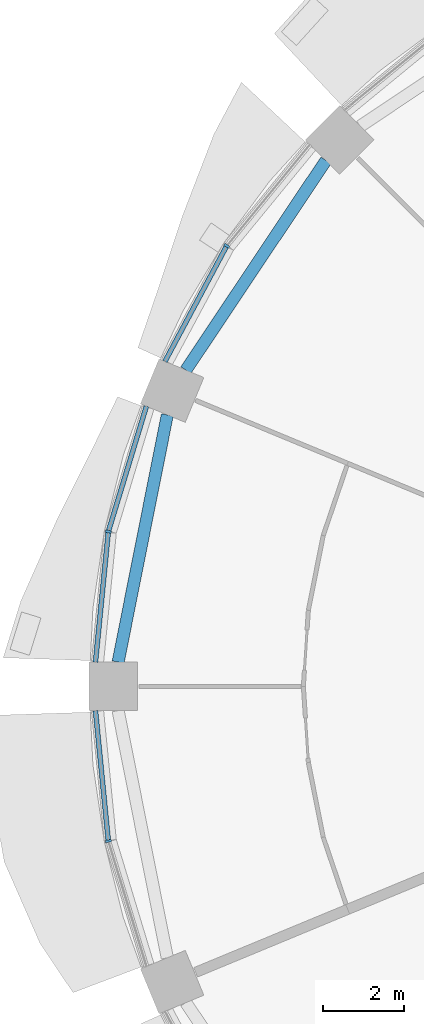
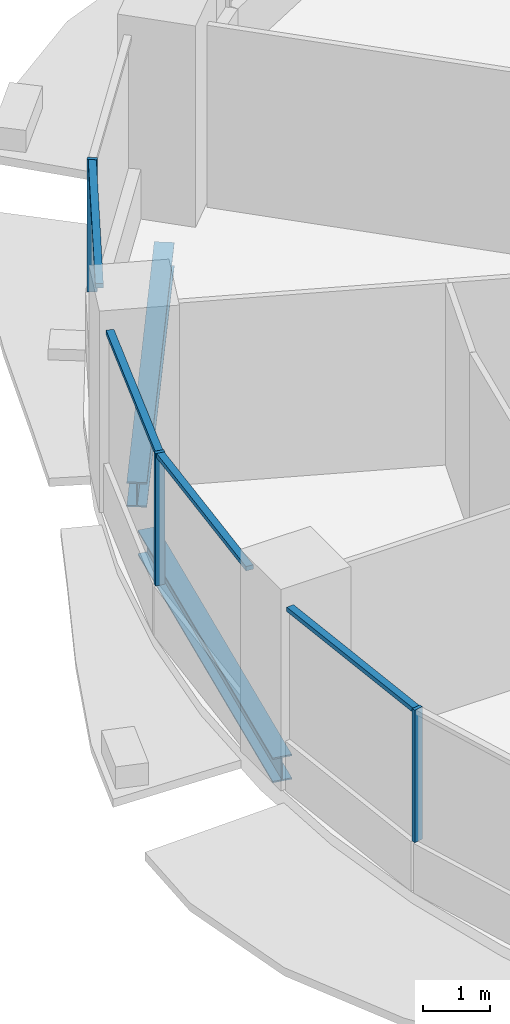
# One storey, part 4 of 15: 7 members, 2 beams, 3 elements without a shape of their own.
"""IFC4 building model written with IfcOpenShell, lengths in metres."""

import ifcopenshell
import ifcopenshell.guid

model = None  # the IFC model being written
_history = None  # IfcOwnerHistory: only IFC2X3 demands one
_inside = {}  # id of a spatial element -> (the spatial element, [elements in it])
_under = {}  # id of a project, library or spatial element -> (it, [spatial elements below it])
_declared = {}  # id of a project -> (the project, [libraries it declares])
_typed = {}  # id of a type object -> (the type object, [elements of that type])
_made_of = {}  # id of a material, layer set ... -> (it, [elements and type objects made of it])


def new_model(schema):
    """Start an empty IFC model of exactly this schema.

    Asked for "IFC4X3", IfcOpenShell would pick the latest addendum, in which some entities
    have other attributes; the version numbers below select the first issue.
    IFC2X3 requires an IfcOwnerHistory on every rooted entity: one is made here for all.
    """
    global model, _history
    if schema == "IFC4X3":
        model = ifcopenshell.file(schema_version=(4, 3, 0, 0))
    else:
        model = ifcopenshell.file(schema=schema)
    _inside.clear()
    _under.clear()
    _declared.clear()
    _typed.clear()
    _made_of.clear()
    _history = None
    if model.schema == "IFC2X3":
        org = make("IfcOrganization", Name="unknown")
        user = make(
            "IfcPersonAndOrganization",
            ThePerson=make("IfcPerson", FamilyName="unknown"),
            TheOrganization=org,
        )
        app = make(
            "IfcApplication",
            ApplicationDeveloper=org,
            Version="unknown",
            ApplicationFullName="unknown",
            ApplicationIdentifier="unknown",
        )
        _history = make(
            "IfcOwnerHistory",
            OwningUser=user,
            OwningApplication=app,
            ChangeAction="ADDED",
            CreationDate=0,
        )
    return model


def make(cls, **values):
    """One entity of the class cls with the attributes given. An attribute that is None is left unset."""
    return model.create_entity(
        cls, **{name: value for name, value in values.items() if value is not None}
    )


def rooted(cls, **values):
    """An entity with a GlobalId (a new one), such as an element, a storey or a relation."""
    return make(cls, GlobalId=ifcopenshell.guid.new(), OwnerHistory=_history, **values)


def si_unit(unit_type, name, prefix=None):
    """IfcSIUnit, for example si_unit("LENGTHUNIT", "METRE", prefix="MILLI")."""
    return make("IfcSIUnit", UnitType=unit_type, Prefix=prefix, Name=name)


def assignment(units):
    """IfcUnitAssignment: the units of a project."""
    return None if units is None else make("IfcUnitAssignment", Units=units)


def point(xyz):
    """IfcCartesianPoint."""
    return None if xyz is None else make("IfcCartesianPoint", Coordinates=xyz)


def direction(xyz):
    """IfcDirection."""
    return None if xyz is None else make("IfcDirection", DirectionRatios=xyz)


def frame(location, z_axis=None, x_axis=None):
    """IfcAxis2Placement3D, a coordinate frame: its origin and axes. An axis left out is left unset."""
    return make(
        "IfcAxis2Placement3D",
        Location=point(location),
        Axis=direction(z_axis),
        RefDirection=direction(x_axis),
    )


def frame_2d(location, x_axis=None):
    """IfcAxis2Placement2D, a coordinate frame in the plane: its origin and x axis."""
    return make(
        "IfcAxis2Placement2D", Location=point(location), RefDirection=direction(x_axis)
    )


def origin():
    """The frame at (0, 0, 0) with its axes left unset."""
    return frame((0.0, 0.0, 0.0))


def origin_2d():
    """The frame at (0, 0) in the plane with its x axis left unset."""
    return frame_2d((0.0, 0.0))


def place(relative_to, where):
    """IfcLocalPlacement: puts the frame where relative to a parent placement (None: the world)."""
    return make(
        "IfcLocalPlacement", PlacementRelTo=relative_to, RelativePlacement=where
    )


def context(
    kind, dimensions, precision=None, world=None, true_north=None, identifier=None
):
    """IfcGeometricRepresentationContext, for example the 3D "Model" context."""
    return make(
        "IfcGeometricRepresentationContext",
        ContextIdentifier=identifier,
        ContextType=kind,
        CoordinateSpaceDimension=dimensions,
        Precision=precision,
        WorldCoordinateSystem=world,
        TrueNorth=true_north,
    )


def subcontext(parent, identifier, kind, view, scale=None):
    """IfcGeometricRepresentationSubContext, for example "Body" below "Model"."""
    return make(
        "IfcGeometricRepresentationSubContext",
        ContextIdentifier=identifier,
        ContextType=kind,
        ParentContext=parent,
        TargetScale=scale,
        TargetView=view,
    )


def project(units=None, contexts=None):
    """IfcProject with its units and contexts."""
    return rooted(
        "IfcProject",
        Name="project",
        RepresentationContexts=contexts,
        UnitsInContext=assignment(units),
    )


def spatial(cls, under=None, at=None, **own):
    """A site, building, storey or space (cls), placed at a placement, below another one or the project."""
    s = rooted(cls, ObjectPlacement=at, **own)
    if under is not None:
        _under.setdefault(under.id(), (under, []))[1].append(s)
    return s


def profile(cls, at=None, kind="AREA", **sizes):
    """A parametric profile (cls). Its sizes go by their IFC names, for example OverallWidth=200.0."""
    return make(cls, ProfileType=kind, Position=at, **sizes)


def rectangle(**sizes):
    """IfcRectangleProfileDef."""
    return profile("IfcRectangleProfileDef", **sizes)


def i_section(**sizes):
    """IfcIShapeProfileDef."""
    return profile("IfcIShapeProfileDef", **sizes)


def extrude(swept, where, along, depth):
    """IfcExtrudedAreaSolid: the profile swept, set in the frame where, extruded along a direction by depth."""
    return make(
        "IfcExtrudedAreaSolid",
        SweptArea=swept,
        Position=where,
        ExtrudedDirection=direction(along),
        Depth=depth,
    )


def shape(context_of_items, identifier, shape_type, items):
    """IfcShapeRepresentation: the items that make up one representation, for example the "Body"."""
    return make(
        "IfcShapeRepresentation",
        ContextOfItems=context_of_items,
        RepresentationIdentifier=identifier,
        RepresentationType=shape_type,
        Items=items,
    )


def material(Name=None, Category=None):
    """IfcMaterial."""
    return make("IfcMaterial", Name=Name, Category=Category)


def material_profile(
    of_material, cross_section, Name=None, Category=None, Priority=None
):
    """IfcMaterialProfile: a cross section and its material."""
    return make(
        "IfcMaterialProfile",
        Name=Name,
        Material=of_material,
        Profile=cross_section,
        Priority=Priority,
        Category=Category,
    )


def profile_set(profiles, Name=None, composite=None):
    """IfcMaterialProfileSet."""
    return make(
        "IfcMaterialProfileSet",
        Name=Name,
        MaterialProfiles=profiles,
        CompositeProfile=composite,
    )


def made_of(thing, what):
    """Note that an element or type object is made of a material, layer set ...; save() writes the relation."""
    if what is not None:
        _made_of.setdefault(what.id(), (what, []))[1].append(thing)
    return thing


def type_object(cls, material=None, **own):
    """A type object (cls), such as IfcWallType, which elements share."""
    return made_of(rooted(cls, **own), material)


def element(
    cls,
    number,
    at=None,
    inside=None,
    cuts=None,
    type_object=None,
    material=None,
    context=None,
    identifier="Body",
    shape_type=None,
    held_by="IfcProductDefinitionShape",
    body=None,
    shapes=None,
    **own,
):
    """One element of the class cls, such as IfcWall. Its Tag is "e" and its number.

    at: its placement. inside: the storey or other place that contains it. cuts: it is an
    opening in that element (IfcRelVoidsElement). A single representation is given by context,
    identifier, shape_type and body (its items); several are given by shapes. held_by: the class
    of the entity that holds the representations. save() writes the other relations.
    """
    e = rooted(cls, Tag="e%d" % number, ObjectPlacement=at, **own)
    if body is not None:
        shapes = [shape(context, identifier, shape_type, body)]
    if shapes is not None:
        e.Representation = make(held_by, Representations=shapes)
    if inside is not None:
        _inside.setdefault(inside.id(), (inside, []))[1].append(e)
    if cuts is not None:
        rooted(
            "IfcRelVoidsElement", RelatingBuildingElement=cuts, RelatedOpeningElement=e
        )
    if type_object is not None:
        _typed.setdefault(type_object.id(), (type_object, []))[1].append(e)
    return made_of(e, material)


def aggregate(whole, parts):
    """IfcRelAggregates: a whole, such as a stair, and the parts it consists of."""
    return rooted("IfcRelAggregates", RelatingObject=whole, RelatedObjects=parts)


def save(model, path):
    """Write the relations noted so far, then the file.

    IfcRelAggregates (storeys below a building ...), IfcRelContainedInSpatialStructure (elements
    in a storey), IfcRelDefinesByType, IfcRelAssociatesMaterial and IfcRelDeclares: one each for
    every whole, place, type object, material and project.
    """
    for whole, parts in _under.values():
        aggregate(whole, parts)
    for where, things in _inside.values():
        rooted(
            "IfcRelContainedInSpatialStructure",
            RelatedElements=things,
            RelatingStructure=where,
        )
    for kind, things in _typed.values():
        rooted("IfcRelDefinesByType", RelatedObjects=things, RelatingType=kind)
    for what, things in _made_of.values():
        rooted("IfcRelAssociatesMaterial", RelatedObjects=things, RelatingMaterial=what)
    for by, libraries in _declared.values():
        rooted("IfcRelDeclares", RelatingContext=by, RelatedDefinitions=libraries)
    model.write(path)


model = new_model("IFC4")

# Units and contexts
model_context = context("Model", 3, precision=1e-05, world=origin(), true_north=direction((0.0, 1.0)))
body_context = subcontext(model_context, "Body", "Model", "MODEL_VIEW")
ifc_project = project(units=[si_unit("LENGTHUNIT", "METRE"), si_unit("AREAUNIT", "SQUARE_METRE"), si_unit("VOLUMEUNIT", "CUBIC_METRE"), si_unit("PLANEANGLEUNIT", "RADIAN"), si_unit("MASSUNIT", "GRAM", prefix="KILO")], contexts=[model_context])

# Site, building, storey
site_placement = place(None, origin())
site = spatial("IfcSite", under=ifc_project, at=site_placement, CompositionType="ELEMENT")
building_placement = place(site_placement, origin())
building = spatial("IfcBuilding", under=site, at=building_placement, Name="Polderwave Tower", CompositionType="ELEMENT")
storey_placement = place(building_placement, frame((0.0, 0.0, 37.14990234375)))
storey = spatial("IfcBuildingStorey", under=building, at=storey_placement, Name="L09", CompositionType="ELEMENT", Elevation=37.14990234375)

# Curtain wall, member
ifc_material_1 = material(Name="Aluminium 6063-T6 and glass", Category="aluminium")
curtain_wall_type = type_object("IfcCurtainWallType", Name="Growing floor ribbon glazing wall", PredefinedType="NOTDEFINED", material=ifc_material_1)
curtain_wall_1_placement = place(storey_placement, origin())
curtain_wall_1 = element("IfcCurtainWall", 1, at=curtain_wall_1_placement, inside=storey, type_object=curtain_wall_type, Name="CW2 L09 06", PredefinedType="NOTDEFINED")
ifc_material_2 = material(Name="Aluminium 6063-T6", Category="aluminium")
ifc_material_profile_1 = material_profile(ifc_material_2, rectangle(XDim=0.14990234375, YDim=0.06005859375, at=origin_2d()), Name="AL 60x150")
ifc_profile_set_1 = profile_set([ifc_material_profile_1], Name="Aluminium 6063-T6")
member_type_1 = type_object("IfcMemberType", Name="Growing floor ribbon glazing mullion 60x150", PredefinedType="MULLION", material=ifc_profile_set_1)
member_1_placement = place(storey_placement, frame((-16.304931640625, 10.89501953125, 0.900146484375), z_axis=(0.0, 0.0, 1.0), x_axis=(0.831468642648, -0.555571684207, 0.0)))
member_1 = element("IfcMember", 2, at=member_1_placement, type_object=member_type_1, Name="CW2 mullion 1", PredefinedType="MULLION", context=body_context, shape_type="SweptSolid", body=[
    extrude(rectangle(XDim=0.14990234375, YDim=0.06005859375, at=origin_2d()), origin(), (0.0, 0.0, 1.0), 2.39990234375),
])

curtain_wall_2_placement = place(storey_placement, origin())
curtain_wall_2 = element("IfcCurtainWall", 3, at=curtain_wall_2_placement, inside=storey, type_object=curtain_wall_type, Name="CW2 L09 07", PredefinedType="NOTDEFINED")
member_2_placement = place(storey_placement, frame((-19.23291015625, 3.825927734375, 0.900146484375), z_axis=(0.0, 0.0, 1.0), x_axis=(0.980767911179, -0.195177622698, 0.0)))
member_2 = element("IfcMember", 4, at=member_2_placement, type_object=member_type_1, Name="CW2 mullion 1", PredefinedType="MULLION", context=body_context, shape_type="SweptSolid", body=[
    extrude(rectangle(XDim=0.14990234375, YDim=0.06005859375, at=origin_2d()), origin(), (0.0, 0.0, 1.0), 2.39990234375),
])

curtain_wall_3_placement = place(storey_placement, origin())
curtain_wall_3 = element("IfcCurtainWall", 5, at=curtain_wall_3_placement, inside=storey, type_object=curtain_wall_type, Name="CW2 L09 08", PredefinedType="NOTDEFINED")
member_3_placement = place(storey_placement, frame((-19.23291015625, -3.825927734375, 0.900146484375), z_axis=(0.0, 0.0, 1.0), x_axis=(0.980767911179, 0.195177622698, 0.0)))
member_3 = element("IfcMember", 6, at=member_3_placement, type_object=member_type_1, Name="CW2 mullion 1", PredefinedType="MULLION", context=body_context, shape_type="SweptSolid", body=[
    extrude(rectangle(XDim=0.14990234375, YDim=0.06005859375, at=origin_2d()), origin(), (0.0, 0.0, 1.0), 2.39990234375),
])

# Member
ifc_material_profile_2 = material_profile(ifc_material_2, rectangle(XDim=0.1201171875, YDim=0.080078125, at=origin_2d()), Name="AL 80x120")
ifc_profile_set_2 = profile_set([ifc_material_profile_2], Name="Aluminium 6063-T6")
member_type_2 = type_object("IfcMemberType", Name="Growing floor ribbon glazing transom 80x120", PredefinedType="USERDEFINED", material=ifc_profile_set_2)
member_4_placement = place(storey_placement, frame((-16.319091796875, 10.868408203125, 3.260009765625), z_axis=(-0.471373193578, -0.881933848072, 0.0), x_axis=(0.881933848072, -0.471373193578, 0.0)))
member_4 = element("IfcMember", 7, at=member_4_placement, type_object=member_type_2, Name="CW2 transom 2", ObjectType="TRANSOM", PredefinedType="USERDEFINED", context=body_context, shape_type="SweptSolid", body=[
    extrude(rectangle(XDim=0.1201171875, YDim=0.080078125, at=origin_2d()), origin(), (0.0, 0.0, 1.0), 3.211669921875),
])

aggregate(curtain_wall_1, [member_1, member_4])

member_5_placement = place(storey_placement, frame((-18.2919921875, 6.927001953125, 3.260009765625), z_axis=(-0.290402031143, -0.956904728961, 0.0), x_axis=(0.956904728961, -0.290402031143, 0.0)))
member_5 = element("IfcMember", 8, at=member_5_placement, type_object=member_type_2, Name="CW2 transom 1", ObjectType="TRANSOM", PredefinedType="USERDEFINED", context=body_context, shape_type="SweptSolid", body=[
    extrude(rectangle(XDim=0.1201171875, YDim=0.080078125, at=origin_2d()), origin(), (0.0, 0.0, 1.0), 3.210693359375),
])

member_6_placement = place(storey_placement, frame((-19.23583984375, 3.796142578125, 3.260009765625), z_axis=(-0.098141294442, -0.99517249074, 0.0), x_axis=(0.99517249074, -0.098141294442, 0.0)))
member_6 = element("IfcMember", 9, at=member_6_placement, type_object=member_type_2, Name="CW2 transom 2", ObjectType="TRANSOM", PredefinedType="USERDEFINED", context=body_context, shape_type="SweptSolid", body=[
    extrude(rectangle(XDim=0.1201171875, YDim=0.080078125, at=origin_2d()), origin(), (0.0, 0.0, 1.0), 3.211669921875),
])

aggregate(curtain_wall_2, [member_2, member_5, member_6])

member_7_placement = place(storey_placement, frame((-19.551025390625, -0.60009765625, 3.260009765625), z_axis=(0.098141294442, -0.99517249074, 0.0), x_axis=(0.99517249074, 0.098141294442, 0.0)))
member_7 = element("IfcMember", 10, at=member_7_placement, type_object=member_type_2, Name="CW2 transom 1", ObjectType="TRANSOM", PredefinedType="USERDEFINED", context=body_context, shape_type="SweptSolid", body=[
    extrude(rectangle(XDim=0.1201171875, YDim=0.080078125, at=origin_2d()), origin(), (0.0, 0.0, 1.0), 3.211669921875),
])

aggregate(curtain_wall_3, [member_3, member_7])

# Beams
ifc_material_3 = material(Name="Steel S355", Category="steel")
ifc_material_profile_3 = material_profile(ifc_material_3, i_section(OverallWidth=0.300048828125, OverallDepth=0.449951171875, WebThickness=0.013916015625, FlangeThickness=0.02587890625, at=origin_2d()), Name="HE 450 B")
ifc_profile_set_3 = profile_set([ifc_material_profile_3], Name="Steel S355")
beam_type = type_object("IfcBeamType", Name="RING BEAM HE 450 B", PredefinedType="BEAM", material=ifc_profile_set_3)
beam_1_placement = place(storey_placement, frame((-13.852783203125, 13.004150390625, -0.574951171875), z_axis=(-0.555558644, -0.831477355721, 0.0), x_axis=(0.831477355721, -0.555558644, 0.0)))
element("IfcBeam", 11, at=beam_1_placement, inside=storey, type_object=beam_type, Name="ST-RB-L09-06", PredefinedType="BEAM", context=body_context, shape_type="SweptSolid", body=[
    extrude(i_section(OverallWidth=0.300048828125, OverallDepth=0.449951171875, WebThickness=0.013916015625, FlangeThickness=0.02587890625, at=origin_2d()), origin(), (0.0, 0.0, 1.0), 6.232666015625),
])
beam_2_placement = place(storey_placement, frame((-17.774658203125, 6.713134765625, -0.574951171875), z_axis=(-0.195106645934, -0.980782033233, 0.0), x_axis=(0.980782033233, -0.195106645934, 0.0)))
element("IfcBeam", 12, at=beam_2_placement, inside=storey, type_object=beam_type, Name="ST-RB-L09-07", PredefinedType="BEAM", context=body_context, shape_type="SweptSolid", body=[
    extrude(i_section(OverallWidth=0.300048828125, OverallDepth=0.449951171875, WebThickness=0.013916015625, FlangeThickness=0.02587890625, at=origin_2d()), origin(), (0.0, 0.0, 1.0), 6.23291015625),
])

save(model, "model.ifc")
